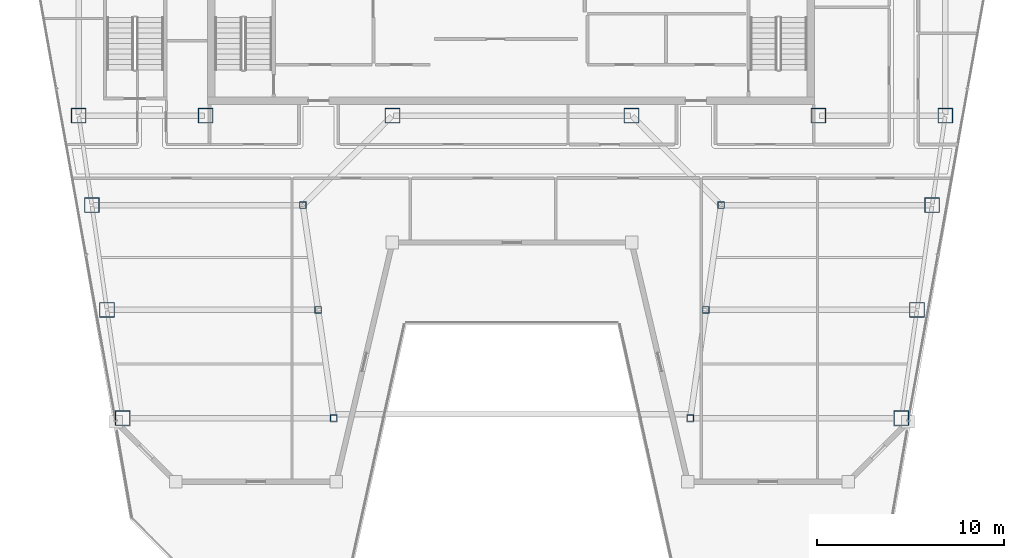
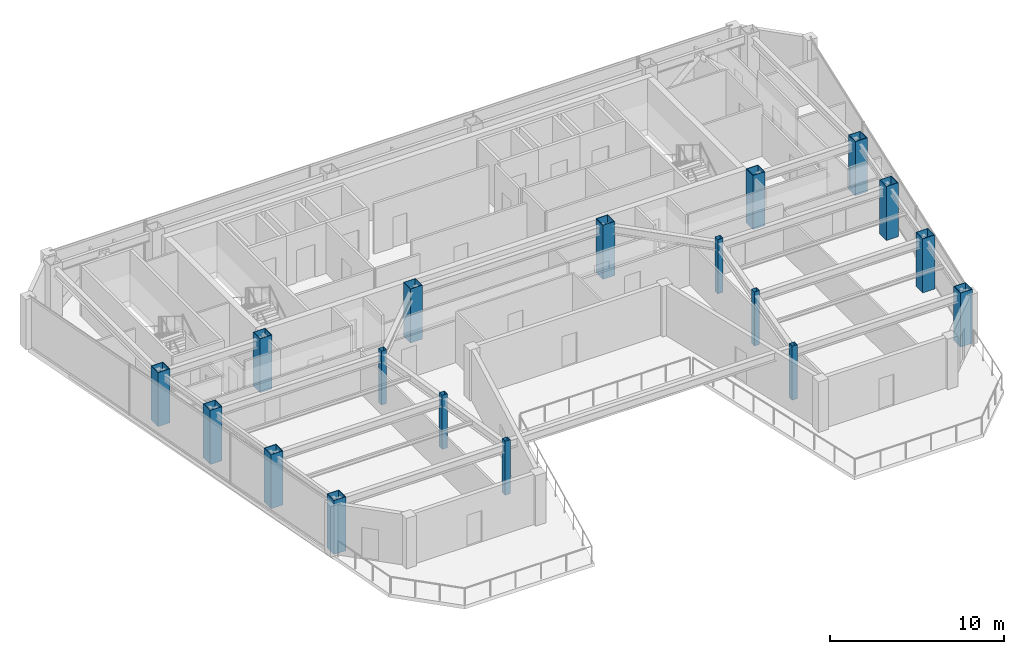
# One storey, part 1 of 28: 18 columns.
"""IFC4 building model written with IfcOpenShell, lengths in metres."""

from ifc_helpers import new_model, si_unit, direction, frame, origin, origin_2d, place, context, subcontext, project, spatial, hollow_rectangle, extrude, material, material_profile, profile_set, type_object, element, save


model = new_model("IFC4")

# Units and contexts
model_context = context("Model", 3, precision=1e-05, world=origin(), true_north=direction((0.0, 1.0)))
body_context = subcontext(model_context, "Body", "Model", "MODEL_VIEW")
ifc_project = project(units=[si_unit("LENGTHUNIT", "METRE"), si_unit("AREAUNIT", "SQUARE_METRE"), si_unit("VOLUMEUNIT", "CUBIC_METRE"), si_unit("PLANEANGLEUNIT", "RADIAN"), si_unit("MASSUNIT", "GRAM", prefix="KILO")], contexts=[model_context])

# Site, building, storey
site_placement = place(None, origin())
site = spatial("IfcSite", under=ifc_project, at=site_placement, CompositionType="ELEMENT")
building_placement = place(site_placement, origin())
building = spatial("IfcBuilding", under=site, at=building_placement, Name="Saevonmaru Cultural Tower", CompositionType="ELEMENT")
storey_placement = place(building_placement, frame((0.0, 0.0, 253.39990234375)))
storey = spatial("IfcBuildingStorey", under=building, at=storey_placement, Name="L59", CompositionType="ELEMENT", Elevation=253.39990234375)

# Columns
ifc_material_1 = material(Name="Steel SM420", Category="steel")
ifc_material_profile_1 = material_profile(ifc_material_1, hollow_rectangle(XDim=0.800048828125, YDim=0.800048828125, WallThickness=0.035888671875, at=origin_2d()), Name="BOX-800x800x36")
ifc_profile_set_1 = profile_set([ifc_material_profile_1], Name="Steel SM420")
column_type_1 = type_object("IfcColumnType", Name="COL-BOX-800", PredefinedType="COLUMN", material=ifc_profile_set_1)
for number, where, z_axis, x_axis, name in (
    (1, (6.800048828125, 42.39990234375, 0.0), (0.0, 0.0, 1.0), (1.0, 0.0, 0.0), "L59 Column TC-S1C"),
    (2, (13.60009765625, 42.39990234375, 0.0), (0.0, 0.0, 1.0), (1.0, 0.0, 0.0), "L59 Column TC-S2C"),
    (3, (23.60009765625, 42.39990234375, 0.0), (0.0, 0.0, 1.0), (1.0, 0.0, 0.0), "L59 Column TC-S3C"),
    (4, (36.39990234375, 42.39990234375, 0.0), (0.0, 0.0, 1.0), (1.0, 0.0, 0.0), "L59 Column TC-S4C"),
    (5, (46.39990234375, 42.39990234375, 0.0), (0.0, 0.0, 1.0), (1.0, 0.0, 0.0), "L59 Column TC-S5C"),
    (6, (53.199951171875, 42.39990234375, 0.0), (0.0, 0.0, 1.0), (1.0, 0.0, 0.0), "L59 Column TC-S6C"),
    (7, (9.154052734375, 26.199951171875, 0.0), (0.0, 0.0, 1.0), (1.0, 0.0, 0.0), "L59 Column TC-WO-Y262"),
    (8, (50.845947265625, 26.199951171875, 0.0), (0.0, 0.0, 1.0), (1.0, 0.0, 0.0), "L59 Column TC-EO-Y262"),
    (9, (8.31689453125, 32.0, 0.0), (0.0, 0.0, 1.0), (1.0, 0.0, 0.0), "L59 Column TC-WO-Y320"),
    (10, (51.68310546875, 32.0, 0.0), (0.0, 0.0, 1.0), (1.0, 0.0, 0.0), "L59 Column TC-EO-Y320"),
    (11, (7.508056640625, 37.60009765625, 0.0), (0.0, 0.0, 1.0), (1.0, 0.0, 0.0), "L59 Column TC-WO-Y376"),
    (12, (52.491943359375, 37.60009765625, 0.0), (0.0, 0.0, 1.0), (1.0, 0.0, 0.0), "L59 Column TC-EO-Y376"),
):
    element("IfcColumn", number, at=place(storey_placement, frame(where, z_axis=z_axis, x_axis=x_axis)), inside=storey, type_object=column_type_1, Name=name, PredefinedType="COLUMN", context=body_context, shape_type="SweptSolid", body=[
        extrude(hollow_rectangle(XDim=0.800048828125, YDim=0.800048828125, WallThickness=0.035888671875, at=origin_2d()), origin(), (0.0, 0.0, 1.0), 3.800048828125),
    ])
ifc_material_2 = material(Name="Steel SM355", Category="steel")
ifc_material_profile_2 = material_profile(ifc_material_2, hollow_rectangle(XDim=0.35009765625, YDim=0.35009765625, WallThickness=0.01611328125, at=origin_2d()), Name="SHS-350x350x16")
ifc_profile_set_2 = profile_set([ifc_material_profile_2], Name="Steel SM355")
column_type_2 = type_object("IfcColumnType", Name="COL-SHS-350", PredefinedType="COLUMN", material=ifc_profile_set_2)
for number, where, z_axis, x_axis, name in (
    (13, (20.4541015625, 26.199951171875, 0.0), (0.0, 0.0, 1.0), (1.0, 0.0, 0.0), "L59 Column TC-WI-Y262"),
    (14, (39.5458984375, 26.199951171875, 0.0), (0.0, 0.0, 1.0), (1.0, 0.0, 0.0), "L59 Column TC-EI-Y262"),
    (15, (19.616943359375, 32.0, 0.0), (0.0, 0.0, 1.0), (1.0, 0.0, 0.0), "L59 Column TC-WI-Y320"),
    (16, (40.383056640625, 32.0, 0.0), (0.0, 0.0, 1.0), (1.0, 0.0, 0.0), "L59 Column TC-EI-Y320"),
    (17, (18.80810546875, 37.60009765625, 0.0), (0.0, 0.0, 1.0), (1.0, 0.0, 0.0), "L59 Column TC-WI-Y376"),
    (18, (41.19189453125, 37.60009765625, 0.0), (0.0, 0.0, 1.0), (1.0, 0.0, 0.0), "L59 Column TC-EI-Y376"),
):
    element("IfcColumn", number, at=place(storey_placement, frame(where, z_axis=z_axis, x_axis=x_axis)), inside=storey, type_object=column_type_2, Name=name, PredefinedType="COLUMN", context=body_context, shape_type="SweptSolid", body=[
        extrude(hollow_rectangle(XDim=0.35009765625, YDim=0.35009765625, WallThickness=0.01611328125, at=origin_2d()), origin(), (0.0, 0.0, 1.0), 3.800048828125),
    ])

save(model, "model.ifc")
